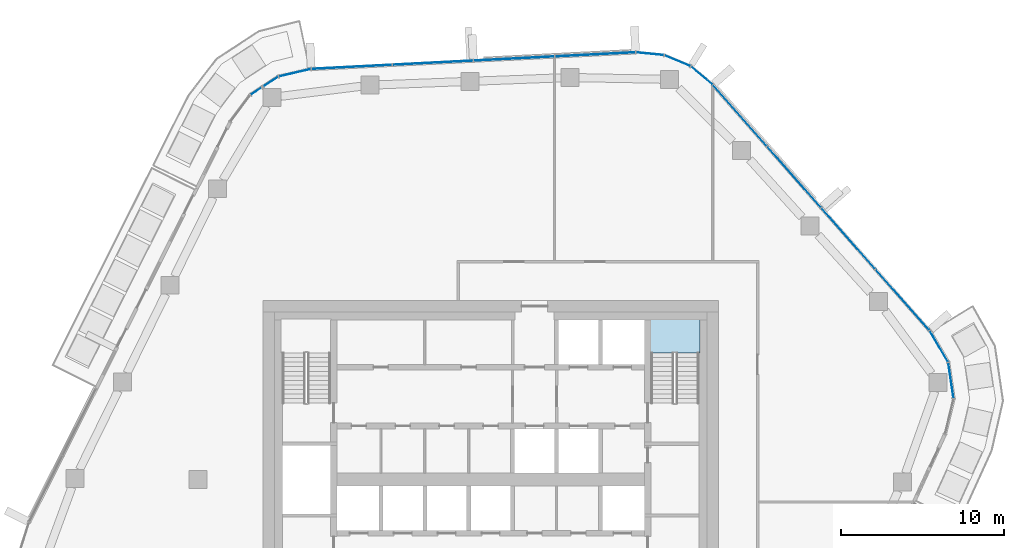
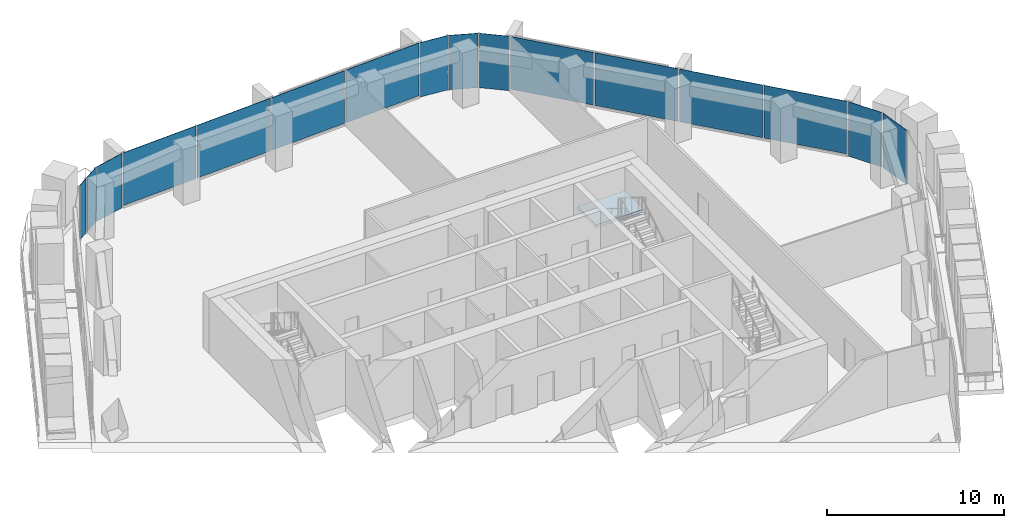
# One storey, part 11 of 22: 16 plates, 1 slab, 7 elements without a shape of their own.
"""IFC4 building model written with IfcOpenShell, lengths in metres."""

from ifc_helpers import new_model, si_unit, direction, frame, origin, origin_2d, place, context, subcontext, project, spatial, polyline, rectangle, outline, extrude, material, layer, layer_set, type_object, element, aggregate, save


model = new_model("IFC4")

# Units and contexts
model_context = context("Model", 3, precision=1e-05, world=origin(), true_north=direction((0.0, 1.0)))
body_context = subcontext(model_context, "Body", "Model", "MODEL_VIEW")
ifc_project = project(units=[si_unit("LENGTHUNIT", "METRE"), si_unit("AREAUNIT", "SQUARE_METRE"), si_unit("VOLUMEUNIT", "CUBIC_METRE"), si_unit("PLANEANGLEUNIT", "RADIAN"), si_unit("MASSUNIT", "GRAM", prefix="KILO")], contexts=[model_context])

# Site, building, storey
site_placement = place(None, origin())
site = spatial("IfcSite", under=ifc_project, at=site_placement, CompositionType="ELEMENT")
building_placement = place(site_placement, origin())
building = spatial("IfcBuilding", under=site, at=building_placement, Name="Dongbaek Canopy Tower", CompositionType="ELEMENT")
storey_placement = place(building_placement, frame((0.0, 0.0, 237.0)))
storey = spatial("IfcBuildingStorey", under=building, at=storey_placement, Name="L49", CompositionType="ELEMENT", Elevation=237.0)

# Curtain wall, plates
ifc_material_1 = material(Name="Aluminium 6063-T6 pale anodised", Category="aluminium")
ifc_layer_1 = layer(ifc_material_1, 0.199951171875)
ifc_layer_set_1 = layer_set([ifc_layer_1], Name="CW-1 unitised tower curtain wall")
curtain_wall_type = type_object("IfcCurtainWallType", Name="CW-1 unitised tower curtain wall", PredefinedType="NOTDEFINED", material=ifc_layer_set_1)
curtain_wall_1_placement = place(storey_placement, origin())
curtain_wall_1 = element("IfcCurtainWall", 1, at=curtain_wall_1_placement, inside=storey, type_object=curtain_wall_type, Name="CW-1 curtain wall K0.1", PredefinedType="NOTDEFINED")
ifc_material_2 = material(Name="Clear laminated glass", Category="glass")
ifc_layer_2 = layer(ifc_material_2, 0.028076171875)
ifc_layer_set_2 = layer_set([ifc_layer_2], Name="CW-1 glazed panel 28")
plate_type = type_object("IfcPlateType", Name="CW-1 glazed panel 28", PredefinedType="CURTAIN_PANEL", material=ifc_layer_set_2)
plate_1_placement = place(storey_placement, frame((28.28271484375, 6.098876953125, 0.0), z_axis=(0.0, 0.0, 1.0), x_axis=(-0.146385282221, 0.989227652843, 0.0)))
plate_1 = element("IfcPlate", 2, at=plate_1_placement, type_object=plate_type, Name="CW-1 panel K0.1.2.1", PredefinedType="CURTAIN_PANEL", context=body_context, shape_type="SweptSolid", body=[
    extrude(rectangle(XDim=2.167236328125, YDim=0.028076171875, at=origin_2d()), origin(), (0.0, 0.0, 1.0), 3.75),
])
plate_2_placement = place(storey_placement, frame((27.54541015625, 8.187255859375, 0.0), z_axis=(0.0, 0.0, 1.0), x_axis=(-0.506366548722, 0.862318339325, 0.0)))
plate_2 = element("IfcPlate", 3, at=plate_2_placement, type_object=plate_type, Name="CW-1 panel K0.1.3.1", PredefinedType="CURTAIN_PANEL", context=body_context, shape_type="SweptSolid", body=[
    extrude(rectangle(XDim=2.177001953125, YDim=0.028076171875, at=origin_2d()), origin(), (0.0, 0.0, 1.0), 3.75),
])
aggregate(curtain_wall_1, [plate_1, plate_2])

curtain_wall_2_placement = place(storey_placement, origin())
curtain_wall_2 = element("IfcCurtainWall", 4, at=curtain_wall_2_placement, inside=storey, type_object=curtain_wall_type, Name="CW-1 curtain wall F0.1", PredefinedType="NOTDEFINED")
plate_3_placement = place(storey_placement, frame((25.308837890625, 11.048095703125, 0.1201171875), z_axis=(0.0, 0.0, 1.0), x_axis=(-0.661631384947, 0.749829254199, 0.0)))
plate_3 = element("IfcPlate", 5, at=plate_3_placement, type_object=plate_type, Name="CW-1 panel F0.1.1.1", PredefinedType="CURTAIN_PANEL", context=body_context, shape_type="SweptSolid", body=[
    extrude(rectangle(XDim=4.946044921875, YDim=0.028076171875, at=origin_2d()), origin(), (0.0, 0.0, 1.0), 3.6298828125),
])
plate_4_placement = place(storey_placement, frame((21.977783203125, 14.8232421875, 0.1201171875), z_axis=(0.0, 0.0, 1.0), x_axis=(-0.661631384947, 0.749829254199, 0.0)))
plate_4 = element("IfcPlate", 6, at=plate_4_placement, type_object=plate_type, Name="CW-1 panel F0.1.2.1", PredefinedType="CURTAIN_PANEL", context=body_context, shape_type="SweptSolid", body=[
    extrude(rectangle(XDim=4.95556640625, YDim=0.028076171875, at=origin_2d()), origin(), (0.0, 0.0, 1.0), 3.6298828125),
])
plate_5_placement = place(storey_placement, frame((18.643310546875, 18.60205078125, 0.1201171875), z_axis=(0.0, 0.0, 1.0), x_axis=(-0.661631384947, 0.749829254199, 0.0)))
plate_5 = element("IfcPlate", 7, at=plate_5_placement, type_object=plate_type, Name="CW-1 panel F0.1.3.1", PredefinedType="CURTAIN_PANEL", context=body_context, shape_type="SweptSolid", body=[
    extrude(rectangle(XDim=4.95556640625, YDim=0.028076171875, at=origin_2d()), origin(), (0.0, 0.0, 1.0), 3.6298828125),
])
plate_6_placement = place(storey_placement, frame((15.3115234375, 22.378173828125, 0.1201171875), z_axis=(0.0, 0.0, 1.0), x_axis=(-0.661631384947, 0.749829254199, 0.0)))
plate_6 = element("IfcPlate", 8, at=plate_6_placement, type_object=plate_type, Name="CW-1 panel F0.1.4.1", PredefinedType="CURTAIN_PANEL", context=body_context, shape_type="SweptSolid", body=[
    extrude(rectangle(XDim=4.947998046875, YDim=0.028076171875, at=origin_2d()), origin(), (0.0, 0.0, 1.0), 3.6298828125),
])
aggregate(curtain_wall_2, [plate_3, plate_4, plate_5, plate_6])

curtain_wall_3_placement = place(storey_placement, origin())
curtain_wall_3 = element("IfcCurtainWall", 9, at=curtain_wall_3_placement, inside=storey, type_object=curtain_wall_type, Name="CW-1 curtain wall K1.1", PredefinedType="NOTDEFINED")
plate_7_placement = place(storey_placement, frame((12.96923828125, 24.8330078125, 0.0), z_axis=(0.0, 0.0, 1.0), x_axis=(-0.766147720416, 0.642664508512, 0.0)))
plate_7 = element("IfcPlate", 10, at=plate_7_placement, type_object=plate_type, Name="CW-1 panel K1.1.1.1", PredefinedType="CURTAIN_PANEL", context=body_context, shape_type="SweptSolid", body=[
    extrude(rectangle(XDim=1.6845703125, YDim=0.028076171875, at=origin_2d()), origin(), (0.0, 0.0, 1.0), 3.75),
])
plate_8_placement = place(storey_placement, frame((11.480224609375, 25.742919921875, 0.0), z_axis=(0.0, 0.0, 1.0), x_axis=(-0.921719697186, 0.387856674326, 0.0)))
plate_8 = element("IfcPlate", 11, at=plate_8_placement, type_object=plate_type, Name="CW-1 panel K1.1.2.1", PredefinedType="CURTAIN_PANEL", context=body_context, shape_type="SweptSolid", body=[
    extrude(rectangle(XDim=1.677001953125, YDim=0.028076171875, at=origin_2d()), origin(), (0.0, 0.0, 1.0), 3.75),
])
plate_9_placement = place(storey_placement, frame((9.78857421875, 26.171630859375, 0.0), z_axis=(0.0, 0.0, 1.0), x_axis=(-0.995139099374, 0.098479301867, 0.0)))
plate_9 = element("IfcPlate", 12, at=plate_9_placement, type_object=plate_type, Name="CW-1 panel K1.1.3.1", PredefinedType="CURTAIN_PANEL", context=body_context, shape_type="SweptSolid", body=[
    extrude(rectangle(XDim=1.6845703125, YDim=0.028076171875, at=origin_2d()), origin(), (0.0, 0.0, 1.0), 3.75),
])
aggregate(curtain_wall_3, [plate_7, plate_8, plate_9])

curtain_wall_4_placement = place(storey_placement, origin())
curtain_wall_4 = element("IfcCurtainWall", 13, at=curtain_wall_4_placement, inside=storey, type_object=curtain_wall_type, Name="CW-1 curtain wall F1.1", PredefinedType="NOTDEFINED")
plate_10_placement = place(storey_placement, frame((6.418701171875, 26.131103515625, 0.1201171875), z_axis=(0.0, 0.0, 1.0), x_axis=(-0.998689884607, -0.051171421559, 0.0)))
plate_10 = element("IfcPlate", 14, at=plate_10_placement, type_object=plate_type, Name="CW-1 panel F1.1.1.1", PredefinedType="CURTAIN_PANEL", context=body_context, shape_type="SweptSolid", body=[
    extrude(rectangle(XDim=4.90234375, YDim=0.028076171875, at=origin_2d()), origin(), (0.0, 0.0, 1.0), 3.6298828125),
])
plate_11_placement = place(storey_placement, frame((1.43505859375, 25.875732421875, 0.1201171875), z_axis=(0.0, 0.0, 1.0), x_axis=(-0.998689884607, -0.051171421559, 0.0)))
plate_11 = element("IfcPlate", 15, at=plate_11_placement, type_object=plate_type, Name="CW-1 panel F1.1.2.1", PredefinedType="CURTAIN_PANEL", context=body_context, shape_type="SweptSolid", body=[
    extrude(rectangle(XDim=4.90966796875, YDim=0.028076171875, at=origin_2d()), origin(), (0.0, 0.0, 1.0), 3.6298828125),
])
plate_12_placement = place(storey_placement, frame((-3.552001953125, 25.6201171875, 0.1201171875), z_axis=(0.0, 0.0, 1.0), x_axis=(-0.998689884607, -0.051171421559, 0.0)))
plate_12 = element("IfcPlate", 16, at=plate_12_placement, type_object=plate_type, Name="CW-1 panel F1.1.3.1", PredefinedType="CURTAIN_PANEL", context=body_context, shape_type="SweptSolid", body=[
    extrude(rectangle(XDim=4.90966796875, YDim=0.028076171875, at=origin_2d()), origin(), (0.0, 0.0, 1.0), 3.6298828125),
])
plate_13_placement = place(storey_placement, frame((-8.534912109375, 25.36474609375, 0.1201171875), z_axis=(0.0, 0.0, 1.0), x_axis=(-0.998689884607, -0.051171421559, 0.0)))
plate_13 = element("IfcPlate", 17, at=plate_13_placement, type_object=plate_type, Name="CW-1 panel F1.1.4.1", PredefinedType="CURTAIN_PANEL", context=body_context, shape_type="SweptSolid", body=[
    extrude(rectangle(XDim=4.90087890625, YDim=0.028076171875, at=origin_2d()), origin(), (0.0, 0.0, 1.0), 3.6298828125),
])
aggregate(curtain_wall_4, [plate_10, plate_11, plate_12, plate_13])

curtain_wall_5_placement = place(storey_placement, origin())
curtain_wall_5 = element("IfcCurtainWall", 18, at=curtain_wall_5_placement, inside=storey, type_object=curtain_wall_type, Name="CW-1 curtain wall K2.1a", PredefinedType="NOTDEFINED")
plate_14_placement = place(storey_placement, frame((-12.032958984375, 25.00439453125, 0.0), z_axis=(0.0, 0.0, 1.0), x_axis=(-0.974375156236, -0.224928999708, 0.0)))
plate_14 = element("IfcPlate", 19, at=plate_14_placement, type_object=plate_type, Name="CW-1 panel K2.1a.1.1", PredefinedType="CURTAIN_PANEL", context=body_context, shape_type="SweptSolid", body=[
    extrude(rectangle(XDim=1.98681640625, YDim=0.028076171875, at=origin_2d()), origin(), (0.0, 0.0, 1.0), 3.75),
])
plate_15_placement = place(storey_placement, frame((-13.51806640625, 24.460693359375, 0.0), z_axis=(0.0, 0.0, 1.0), x_axis=(-0.83743519792, -0.546536631238, 0.0)))
plate_15 = element("IfcPlate", 20, at=plate_15_placement, type_object=plate_type, Name="CW-1 panel K2.1a.2.1", PredefinedType="CURTAIN_PANEL", context=body_context, shape_type="SweptSolid", body=[
    extrude(rectangle(XDim=1.053466796875, YDim=0.028076171875, at=origin_2d()), origin(), (0.0, 0.0, 1.0), 3.75),
])
aggregate(curtain_wall_5, [plate_14, plate_15])

# Curtain wall, plate
curtain_wall_6_placement = place(storey_placement, origin())
curtain_wall_6 = element("IfcCurtainWall", 21, at=curtain_wall_6_placement, inside=storey, type_object=curtain_wall_type, Name="CW-1 curtain wall K2.1b", PredefinedType="NOTDEFINED")
plate_16_placement = place(storey_placement, frame((-14.415771484375, 23.874755859375, 0.0), z_axis=(0.0, 0.0, 1.0), x_axis=(-0.83743519792, -0.546536631238, 0.0)))
plate_16 = element("IfcPlate", 22, at=plate_16_placement, type_object=plate_type, Name="CW-1 panel K2.1b.1.1", PredefinedType="CURTAIN_PANEL", context=body_context, shape_type="SweptSolid", body=[
    extrude(rectangle(XDim=0.75830078125, YDim=0.028076171875, at=origin_2d()), origin(), (0.0, 0.0, 1.0), 3.75),
])
aggregate(curtain_wall_6, [plate_16])

# Stair, slab
ifc_material_3 = material(Name="Concrete C40/50", Category="concrete")
stair_type = type_object("IfcStairType", Name="Core exit stair", PredefinedType="HALF_TURN_STAIR", material=ifc_material_3)
stair_placement = place(storey_placement, origin())
stair = element("IfcStair", 23, at=stair_placement, inside=storey, type_object=stair_type, Name="L49 exit stair A", PredefinedType="HALF_TURN_STAIR")
ifc_material_4 = material(Name="Concrete C40/50", Category="concrete")
ifc_layer_3 = layer(ifc_material_4, 0.199951171875)
ifc_layer_set_3 = layer_set([ifc_layer_3], Name="Core stair landing 200")
slab_type = type_object("IfcSlabType", Name="Core stair landing 200", PredefinedType="LANDING", material=ifc_layer_set_3)
slab_placement = place(storey_placement, frame((0.0, 0.0, 1.89990234375)))
slab = element("IfcSlab", 24, at=slab_placement, type_object=slab_type, Name="ST-A landing 1", PredefinedType="LANDING", context=body_context, shape_type="SweptSolid", body=[
    extrude(outline(polyline([(12.875, 7.780029296875), (12.875, 9.875), (9.77490234375, 9.875), (9.77490234375, 7.780029296875), (12.875, 7.780029296875)])), origin(), (0.0, 0.0, 1.0), 0.2001953125),
])
aggregate(stair, [slab])

save(model, "model.ifc")
